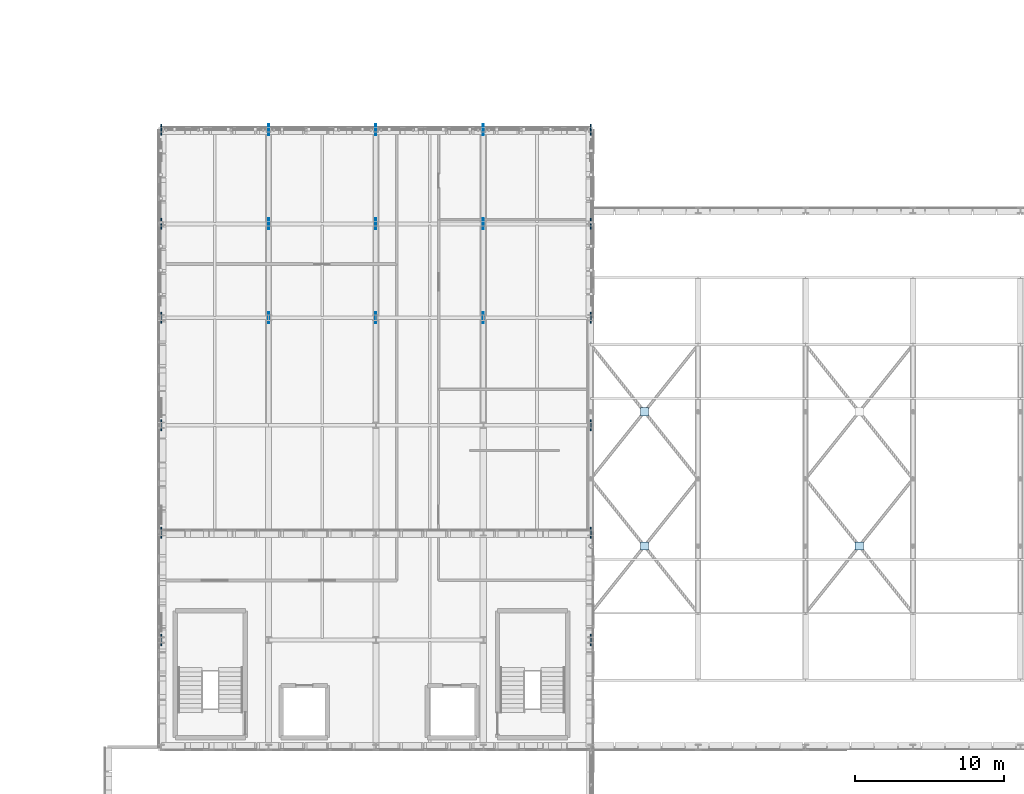
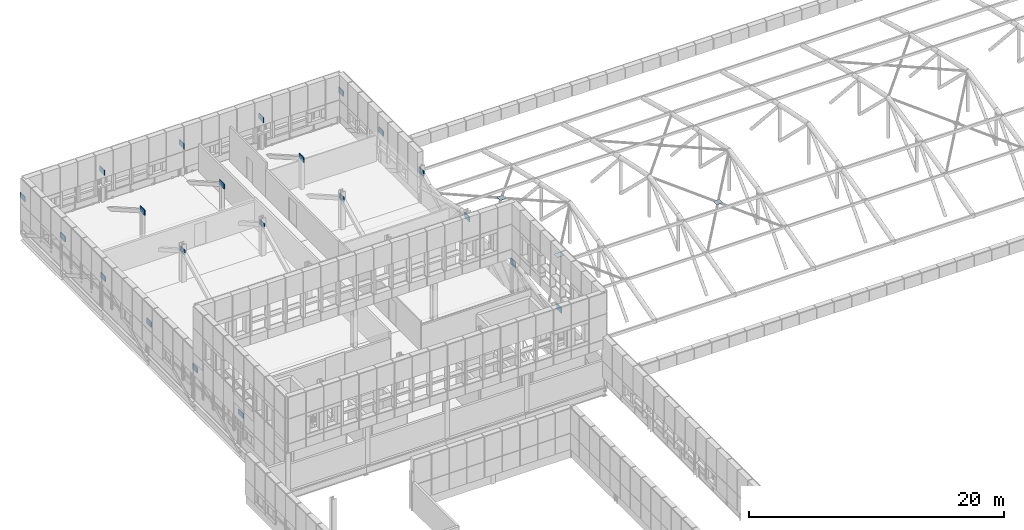
# One storey, part 53 of 96: 24 plates.
"""IFC4 building model written with IfcOpenShell, lengths in metres."""

from ifc_helpers import new_model, si_unit, direction, frame, origin, origin_2d, place, context, subcontext, project, spatial, rectangle, extrude, material, layer, layer_set, type_object, element, save


model = new_model("IFC4")

# Units and contexts
model_context = context("Model", 3, precision=1e-05, world=origin(), true_north=direction((0.0, 1.0)))
body_context = subcontext(model_context, "Body", "Model", "MODEL_VIEW")
ifc_project = project(units=[si_unit("LENGTHUNIT", "METRE"), si_unit("AREAUNIT", "SQUARE_METRE"), si_unit("VOLUMEUNIT", "CUBIC_METRE"), si_unit("PLANEANGLEUNIT", "RADIAN"), si_unit("MASSUNIT", "GRAM", prefix="KILO")], contexts=[model_context])

# Site, building, storey
site_placement = place(None, origin())
site = spatial("IfcSite", under=ifc_project, at=site_placement, CompositionType="ELEMENT")
building_placement = place(site_placement, origin())
building = spatial("IfcBuilding", under=site, at=building_placement, Name="Yarey Park Central Fire Station", CompositionType="ELEMENT")
storey_placement = place(building_placement, frame((0.0, 0.0, 14.39990234375)))
storey = spatial("IfcBuildingStorey", under=building, at=storey_placement, Name="L04", CompositionType="ELEMENT", Elevation=14.39990234375)

# Plates
ifc_material = material(Name="Steel ASTM A572 Gr. 50", Category="steel")
ifc_layer_1 = layer(ifc_material, 0.02001953125)
ifc_layer_set_1 = layer_set([ifc_layer_1], Name="Steel ASTM A572 Gr. 50")
plate_type_1 = type_object("IfcPlateType", Name="STR_PLT_CAP1", PredefinedType="USERDEFINED", material=ifc_layer_set_1)
for number, where, z_axis, x_axis, name in (
    (1, (61.199951171875, 71.10009765625, 2.927978515625), (0.0, 0.0, 1.0), (1.0, 0.0, 0.0), "NODE_PLT_XBR_103"),
    (2, (61.199951171875, 80.10009765625, 2.927978515625), (0.0, 0.0, 1.0), (1.0, 0.0, 0.0), "NODE_PLT_XBR_104"),
    (3, (75.60009765625, 71.10009765625, 2.927978515625), (0.0, 0.0, 1.0), (1.0, 0.0, 0.0), "NODE_PLT_XBR_105"),
):
    element("IfcPlate", number, at=place(storey_placement, frame(where, z_axis=z_axis, x_axis=x_axis)), inside=storey, type_object=plate_type_1, Name=name, ObjectType="GUSSET_PLATE", PredefinedType="USERDEFINED", context=body_context, shape_type="SweptSolid", body=[
        extrude(rectangle(XDim=0.56005859375, YDim=0.56005859375, at=origin_2d()), origin(), (0.0, 0.0, 1.0), 0.02001953125),
    ])
ifc_layer_2 = layer(ifc_material, 0.06396484375)
ifc_layer_set_2 = layer_set([ifc_layer_2], Name="Steel ASTM A572 Gr. 50")
plate_type_2 = type_object("IfcPlateType", Name="STR_PLT_NODE4", PredefinedType="USERDEFINED", material=ifc_layer_set_2)
for number, where, z_axis, x_axis, name in (
    (4, (36.0, 86.39990234375, 2.650146484375), (0.0, 0.0, 1.0), (1.0, 0.0, 0.0), "NODE_PLT_TT_016"),
    (5, (36.0, 92.699951171875, 2.650146484375), (0.0, 0.0, 1.0), (1.0, 0.0, 0.0), "NODE_PLT_TT_017"),
    (6, (36.0, 99.0, 2.650146484375), (0.0, 0.0, 1.0), (1.0, 0.0, 0.0), "NODE_PLT_TT_018"),
    (7, (43.199951171875, 86.39990234375, 2.650146484375), (0.0, 0.0, 1.0), (1.0, 0.0, 0.0), "NODE_PLT_TT_022"),
    (8, (43.199951171875, 92.699951171875, 2.650146484375), (0.0, 0.0, 1.0), (1.0, 0.0, 0.0), "NODE_PLT_TT_023"),
    (9, (43.199951171875, 99.0, 2.650146484375), (0.0, 0.0, 1.0), (1.0, 0.0, 0.0), "NODE_PLT_TT_024"),
    (10, (50.39990234375, 86.39990234375, 2.650146484375), (0.0, 0.0, 1.0), (1.0, 0.0, 0.0), "NODE_PLT_TT_028"),
    (11, (50.39990234375, 92.699951171875, 2.650146484375), (0.0, 0.0, 1.0), (1.0, 0.0, 0.0), "NODE_PLT_TT_029"),
    (12, (50.39990234375, 99.0, 2.650146484375), (0.0, 0.0, 1.0), (1.0, 0.0, 0.0), "NODE_PLT_TT_030"),
):
    element("IfcPlate", number, at=place(storey_placement, frame(where, z_axis=z_axis, x_axis=x_axis)), inside=storey, type_object=plate_type_2, Name=name, ObjectType="GUSSET_PLATE", PredefinedType="USERDEFINED", context=body_context, shape_type="SweptSolid", body=[
        extrude(rectangle(XDim=0.06396484375, YDim=0.75, at=origin_2d()), origin(), (0.0, 0.0, 1.0), 0.5),
    ])
ifc_layer_3 = layer(ifc_material, 0.073974609375)
ifc_layer_set_3 = layer_set([ifc_layer_3], Name="Steel ASTM A572 Gr. 50")
plate_type_3 = type_object("IfcPlateType", Name="STR_PLT_NODE5", PredefinedType="USERDEFINED", material=ifc_layer_set_3)
for number, where, z_axis, x_axis, name in (
    (13, (28.800048828125, 64.800048828125, 2.650146484375), (0.0, 0.0, 1.0), (1.0, 0.0, 0.0), "NODE_PLT_TT_007"),
    (14, (28.800048828125, 72.0, 2.650146484375), (0.0, 0.0, 1.0), (1.0, 0.0, 0.0), "NODE_PLT_TT_008"),
    (15, (28.800048828125, 79.199951171875, 2.650146484375), (0.0, 0.0, 1.0), (1.0, 0.0, 0.0), "NODE_PLT_TT_009"),
    (16, (28.800048828125, 86.39990234375, 2.650146484375), (0.0, 0.0, 1.0), (1.0, 0.0, 0.0), "NODE_PLT_TT_010"),
    (17, (28.800048828125, 92.699951171875, 2.650146484375), (0.0, 0.0, 1.0), (1.0, 0.0, 0.0), "NODE_PLT_TT_011"),
    (18, (28.800048828125, 99.0, 2.650146484375), (0.0, 0.0, 1.0), (1.0, 0.0, 0.0), "NODE_PLT_TT_012"),
    (19, (57.60009765625, 64.800048828125, 2.650146484375), (0.0, 0.0, 1.0), (1.0, 0.0, 0.0), "NODE_PLT_TT_037"),
    (20, (57.60009765625, 72.0, 2.650146484375), (0.0, 0.0, 1.0), (1.0, 0.0, 0.0), "NODE_PLT_TT_038"),
    (21, (57.60009765625, 79.199951171875, 2.650146484375), (0.0, 0.0, 1.0), (1.0, 0.0, 0.0), "NODE_PLT_TT_039"),
    (22, (57.60009765625, 86.39990234375, 2.650146484375), (0.0, 0.0, 1.0), (1.0, 0.0, 0.0), "NODE_PLT_TT_040"),
    (23, (57.60009765625, 92.699951171875, 2.650146484375), (0.0, 0.0, 1.0), (1.0, 0.0, 0.0), "NODE_PLT_TT_041"),
    (24, (57.60009765625, 99.0, 2.650146484375), (0.0, 0.0, 1.0), (1.0, 0.0, 0.0), "NODE_PLT_TT_042"),
):
    element("IfcPlate", number, at=place(storey_placement, frame(where, z_axis=z_axis, x_axis=x_axis)), inside=storey, type_object=plate_type_3, Name=name, ObjectType="GUSSET_PLATE", PredefinedType="USERDEFINED", context=body_context, shape_type="SweptSolid", body=[
        extrude(rectangle(XDim=0.073974609375, YDim=0.75, at=origin_2d()), origin(), (0.0, 0.0, 1.0), 0.5),
    ])

save(model, "model.ifc")
